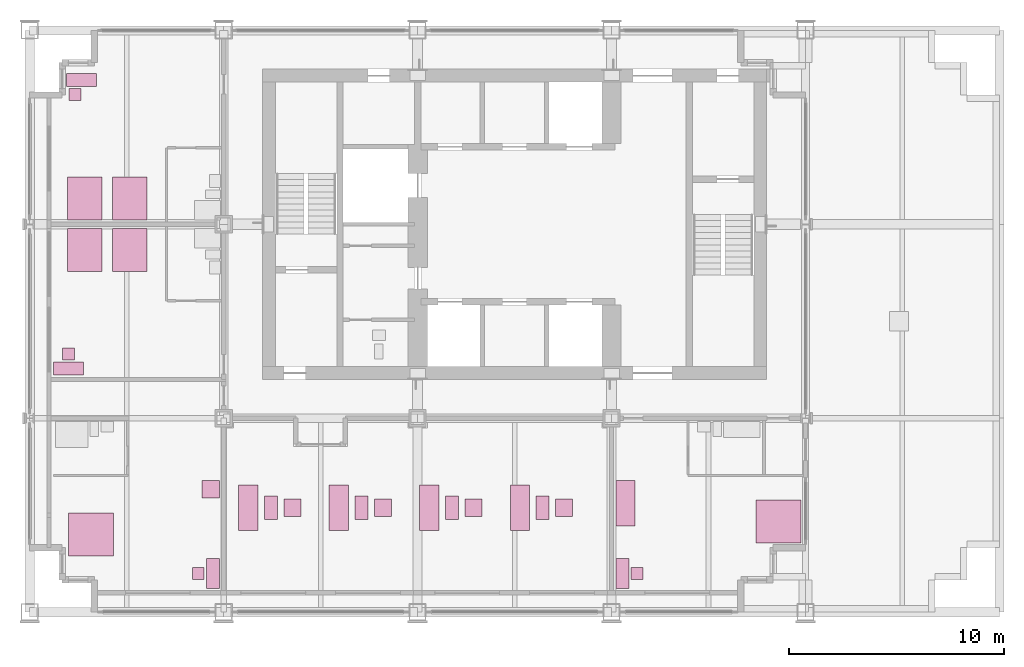
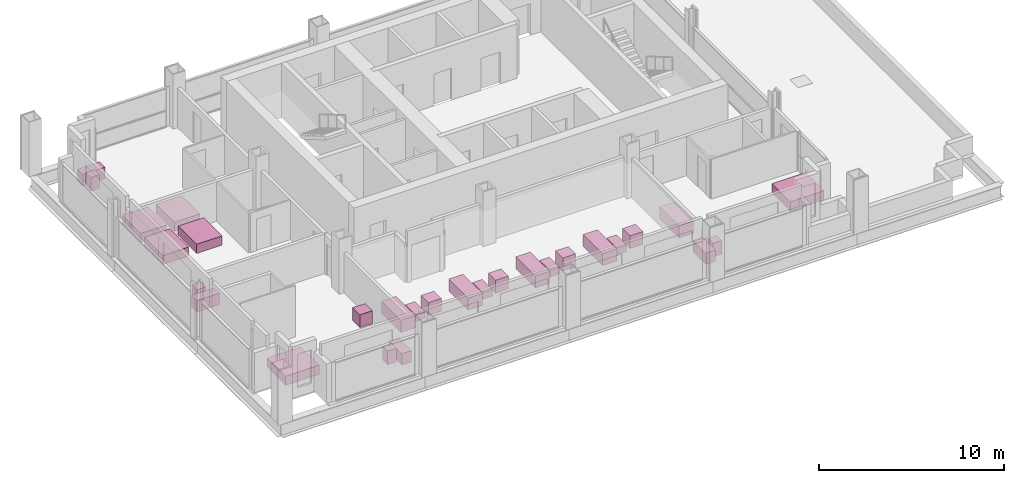
# One storey, part 12 of 12: 28 furniture elements.
"""IFC4 building model written with IfcOpenShell, lengths in metres."""

import ifcopenshell
import ifcopenshell.guid

model = None  # the IFC model being written
_history = None  # IfcOwnerHistory: only IFC2X3 demands one
_inside = {}  # id of a spatial element -> (the spatial element, [elements in it])
_under = {}  # id of a project, library or spatial element -> (it, [spatial elements below it])
_declared = {}  # id of a project -> (the project, [libraries it declares])
_typed = {}  # id of a type object -> (the type object, [elements of that type])
_made_of = {}  # id of a material, layer set ... -> (it, [elements and type objects made of it])


def new_model(schema):
    """Start an empty IFC model of exactly this schema.

    Asked for "IFC4X3", IfcOpenShell would pick the latest addendum, in which some entities
    have other attributes; the version numbers below select the first issue.
    IFC2X3 requires an IfcOwnerHistory on every rooted entity: one is made here for all.
    """
    global model, _history
    if schema == "IFC4X3":
        model = ifcopenshell.file(schema_version=(4, 3, 0, 0))
    else:
        model = ifcopenshell.file(schema=schema)
    _inside.clear()
    _under.clear()
    _declared.clear()
    _typed.clear()
    _made_of.clear()
    _history = None
    if model.schema == "IFC2X3":
        org = make("IfcOrganization", Name="unknown")
        user = make(
            "IfcPersonAndOrganization",
            ThePerson=make("IfcPerson", FamilyName="unknown"),
            TheOrganization=org,
        )
        app = make(
            "IfcApplication",
            ApplicationDeveloper=org,
            Version="unknown",
            ApplicationFullName="unknown",
            ApplicationIdentifier="unknown",
        )
        _history = make(
            "IfcOwnerHistory",
            OwningUser=user,
            OwningApplication=app,
            ChangeAction="ADDED",
            CreationDate=0,
        )
    return model


def make(cls, **values):
    """One entity of the class cls with the attributes given. An attribute that is None is left unset."""
    return model.create_entity(
        cls, **{name: value for name, value in values.items() if value is not None}
    )


def rooted(cls, **values):
    """An entity with a GlobalId (a new one), such as an element, a storey or a relation."""
    return make(cls, GlobalId=ifcopenshell.guid.new(), OwnerHistory=_history, **values)


def si_unit(unit_type, name, prefix=None):
    """IfcSIUnit, for example si_unit("LENGTHUNIT", "METRE", prefix="MILLI")."""
    return make("IfcSIUnit", UnitType=unit_type, Prefix=prefix, Name=name)


def assignment(units):
    """IfcUnitAssignment: the units of a project."""
    return None if units is None else make("IfcUnitAssignment", Units=units)


def point(xyz):
    """IfcCartesianPoint."""
    return None if xyz is None else make("IfcCartesianPoint", Coordinates=xyz)


def direction(xyz):
    """IfcDirection."""
    return None if xyz is None else make("IfcDirection", DirectionRatios=xyz)


def frame(location, z_axis=None, x_axis=None):
    """IfcAxis2Placement3D, a coordinate frame: its origin and axes. An axis left out is left unset."""
    return make(
        "IfcAxis2Placement3D",
        Location=point(location),
        Axis=direction(z_axis),
        RefDirection=direction(x_axis),
    )


def frame_2d(location, x_axis=None):
    """IfcAxis2Placement2D, a coordinate frame in the plane: its origin and x axis."""
    return make(
        "IfcAxis2Placement2D", Location=point(location), RefDirection=direction(x_axis)
    )


def origin():
    """The frame at (0, 0, 0) with its axes left unset."""
    return frame((0.0, 0.0, 0.0))


def origin_2d():
    """The frame at (0, 0) in the plane with its x axis left unset."""
    return frame_2d((0.0, 0.0))


def place(relative_to, where):
    """IfcLocalPlacement: puts the frame where relative to a parent placement (None: the world)."""
    return make(
        "IfcLocalPlacement", PlacementRelTo=relative_to, RelativePlacement=where
    )


def context(
    kind, dimensions, precision=None, world=None, true_north=None, identifier=None
):
    """IfcGeometricRepresentationContext, for example the 3D "Model" context."""
    return make(
        "IfcGeometricRepresentationContext",
        ContextIdentifier=identifier,
        ContextType=kind,
        CoordinateSpaceDimension=dimensions,
        Precision=precision,
        WorldCoordinateSystem=world,
        TrueNorth=true_north,
    )


def subcontext(parent, identifier, kind, view, scale=None):
    """IfcGeometricRepresentationSubContext, for example "Body" below "Model"."""
    return make(
        "IfcGeometricRepresentationSubContext",
        ContextIdentifier=identifier,
        ContextType=kind,
        ParentContext=parent,
        TargetScale=scale,
        TargetView=view,
    )


def project(units=None, contexts=None):
    """IfcProject with its units and contexts."""
    return rooted(
        "IfcProject",
        Name="project",
        RepresentationContexts=contexts,
        UnitsInContext=assignment(units),
    )


def spatial(cls, under=None, at=None, **own):
    """A site, building, storey or space (cls), placed at a placement, below another one or the project."""
    s = rooted(cls, ObjectPlacement=at, **own)
    if under is not None:
        _under.setdefault(under.id(), (under, []))[1].append(s)
    return s


def profile(cls, at=None, kind="AREA", **sizes):
    """A parametric profile (cls). Its sizes go by their IFC names, for example OverallWidth=200.0."""
    return make(cls, ProfileType=kind, Position=at, **sizes)


def rectangle(**sizes):
    """IfcRectangleProfileDef."""
    return profile("IfcRectangleProfileDef", **sizes)


def extrude(swept, where, along, depth):
    """IfcExtrudedAreaSolid: the profile swept, set in the frame where, extruded along a direction by depth."""
    return make(
        "IfcExtrudedAreaSolid",
        SweptArea=swept,
        Position=where,
        ExtrudedDirection=direction(along),
        Depth=depth,
    )


def shape(context_of_items, identifier, shape_type, items):
    """IfcShapeRepresentation: the items that make up one representation, for example the "Body"."""
    return make(
        "IfcShapeRepresentation",
        ContextOfItems=context_of_items,
        RepresentationIdentifier=identifier,
        RepresentationType=shape_type,
        Items=items,
    )


def made_of(thing, what):
    """Note that an element or type object is made of a material, layer set ...; save() writes the relation."""
    if what is not None:
        _made_of.setdefault(what.id(), (what, []))[1].append(thing)
    return thing


def element(
    cls,
    number,
    at=None,
    inside=None,
    cuts=None,
    type_object=None,
    material=None,
    context=None,
    identifier="Body",
    shape_type=None,
    held_by="IfcProductDefinitionShape",
    body=None,
    shapes=None,
    **own,
):
    """One element of the class cls, such as IfcWall. Its Tag is "e" and its number.

    at: its placement. inside: the storey or other place that contains it. cuts: it is an
    opening in that element (IfcRelVoidsElement). A single representation is given by context,
    identifier, shape_type and body (its items); several are given by shapes. held_by: the class
    of the entity that holds the representations. save() writes the other relations.
    """
    e = rooted(cls, Tag="e%d" % number, ObjectPlacement=at, **own)
    if body is not None:
        shapes = [shape(context, identifier, shape_type, body)]
    if shapes is not None:
        e.Representation = make(held_by, Representations=shapes)
    if inside is not None:
        _inside.setdefault(inside.id(), (inside, []))[1].append(e)
    if cuts is not None:
        rooted(
            "IfcRelVoidsElement", RelatingBuildingElement=cuts, RelatedOpeningElement=e
        )
    if type_object is not None:
        _typed.setdefault(type_object.id(), (type_object, []))[1].append(e)
    return made_of(e, material)


def aggregate(whole, parts):
    """IfcRelAggregates: a whole, such as a stair, and the parts it consists of."""
    return rooted("IfcRelAggregates", RelatingObject=whole, RelatedObjects=parts)


def save(model, path):
    """Write the relations noted so far, then the file.

    IfcRelAggregates (storeys below a building ...), IfcRelContainedInSpatialStructure (elements
    in a storey), IfcRelDefinesByType, IfcRelAssociatesMaterial and IfcRelDeclares: one each for
    every whole, place, type object, material and project.
    """
    for whole, parts in _under.values():
        aggregate(whole, parts)
    for where, things in _inside.values():
        rooted(
            "IfcRelContainedInSpatialStructure",
            RelatedElements=things,
            RelatingStructure=where,
        )
    for kind, things in _typed.values():
        rooted("IfcRelDefinesByType", RelatedObjects=things, RelatingType=kind)
    for what, things in _made_of.values():
        rooted("IfcRelAssociatesMaterial", RelatedObjects=things, RelatingMaterial=what)
    for by, libraries in _declared.values():
        rooted("IfcRelDeclares", RelatingContext=by, RelatedDefinitions=libraries)
    model.write(path)


model = new_model("IFC4")

# Units and contexts
model_context = context("Model", 3, precision=1e-05, world=origin(), true_north=direction((0.0, 1.0)))
body_context = subcontext(model_context, "Body", "Model", "MODEL_VIEW")
ifc_project = project(units=[si_unit("LENGTHUNIT", "METRE"), si_unit("AREAUNIT", "SQUARE_METRE"), si_unit("VOLUMEUNIT", "CUBIC_METRE"), si_unit("PLANEANGLEUNIT", "RADIAN"), si_unit("MASSUNIT", "GRAM", prefix="KILO")], contexts=[model_context])

# Site, building, storey
site_placement = place(None, origin())
site = spatial("IfcSite", under=ifc_project, at=site_placement, CompositionType="ELEMENT")
building_placement = place(site_placement, origin())
building = spatial("IfcBuilding", under=site, at=building_placement, Name="Loomwork Tower", CompositionType="ELEMENT")
storey_placement = place(building_placement, frame((0.0, 0.0, 226.60009765625)))
storey = spatial("IfcBuildingStorey", under=building, at=storey_placement, Name="L62", CompositionType="ELEMENT", Elevation=226.60009765625)

# Furniture
furniture_1_placement = place(storey_placement, frame((2.85009765625, 3.60009765625, -0.000244140625), z_axis=(0.0, 0.0, 1.0), x_axis=(1.0, 0.0, 0.0)))
element("IfcFurniture", 1, at=furniture_1_placement, inside=storey, Name="King bed L62", PredefinedType="BED", context=body_context, shape_type="SweptSolid", body=[
    extrude(rectangle(XDim=2.10009765625, YDim=2.0, at=origin_2d()), origin(), (0.0, 0.0, 1.0), 0.60009765625),
])
furniture_2_placement = place(storey_placement, frame((8.5, 1.800048828125, 0.0), z_axis=(0.0, 0.0, 1.0), x_axis=(1.0, 0.0, 0.0)))
element("IfcFurniture", 2, at=furniture_2_placement, inside=storey, Name="Writing desk L62", PredefinedType="DESK", context=body_context, shape_type="SweptSolid", body=[
    extrude(rectangle(XDim=0.60009765625, YDim=1.39990234375, at=origin_2d()), origin(), (0.0, 0.0, 1.0), 0.75),
])
furniture_3_placement = place(storey_placement, frame((7.824951171875, 1.800048828125, 0.0), z_axis=(0.0, 0.0, 1.0), x_axis=(1.0, 0.0, 0.0)))
element("IfcFurniture", 3, at=furniture_3_placement, inside=storey, Name="Desk chair L62", PredefinedType="CHAIR", context=body_context, shape_type="SweptSolid", body=[
    extrude(rectangle(XDim=0.550048828125, YDim=0.550048828125, at=origin_2d()), origin(), (0.0, 0.0, 1.0), 0.89990234375),
])
furniture_4_placement = place(storey_placement, frame((8.39990234375, 5.699951171875, -0.000244140625), z_axis=(0.0, 0.0, 1.0), x_axis=(1.0, 0.0, 0.0)))
element("IfcFurniture", 4, at=furniture_4_placement, inside=storey, Name="Lounge armchair L62", PredefinedType="CHAIR", context=body_context, shape_type="SweptSolid", body=[
    extrude(rectangle(XDim=0.800048828125, YDim=0.800048828125, at=origin_2d()), origin(), (0.0, 0.0, 1.0), 0.85009765625),
])
furniture_5_placement = place(storey_placement, frame((10.14990234375, 4.85009765625, 0.0), z_axis=(0.0, 0.0, 1.0), x_axis=(1.0, 0.0, 0.0)))
element("IfcFurniture", 5, at=furniture_5_placement, inside=storey, Name="Sofa L62", PredefinedType="SOFA", context=body_context, shape_type="SweptSolid", body=[
    extrude(rectangle(XDim=0.89990234375, YDim=2.10009765625, at=origin_2d()), origin(), (0.0, 0.0, 1.0), 0.800048828125),
])
furniture_6_placement = place(storey_placement, frame((11.199951171875, 4.85009765625, 0.0), z_axis=(0.0, 0.0, 1.0), x_axis=(1.0, 0.0, 0.0)))
element("IfcFurniture", 6, at=furniture_6_placement, inside=storey, Name="Coffee table L62", PredefinedType="TABLE", context=body_context, shape_type="SweptSolid", body=[
    extrude(rectangle(XDim=0.60009765625, YDim=1.10009765625, at=origin_2d()), origin(), (0.0, 0.0, 1.0), 0.449951171875),
])
furniture_7_placement = place(storey_placement, frame((12.199951171875, 4.85009765625, -0.000244140625), z_axis=(0.0, 0.0, 1.0), x_axis=(1.0, 0.0, 0.0)))
element("IfcFurniture", 7, at=furniture_7_placement, inside=storey, Name="Lounge armchair L62", PredefinedType="CHAIR", context=body_context, shape_type="SweptSolid", body=[
    extrude(rectangle(XDim=0.800048828125, YDim=0.800048828125, at=origin_2d()), origin(), (0.0, 0.0, 1.0), 0.85009765625),
])
furniture_8_placement = place(storey_placement, frame((14.35009765625, 4.85009765625, 0.0), z_axis=(0.0, 0.0, 1.0), x_axis=(1.0, 0.0, 0.0)))
element("IfcFurniture", 8, at=furniture_8_placement, inside=storey, Name="Sofa L62", PredefinedType="SOFA", context=body_context, shape_type="SweptSolid", body=[
    extrude(rectangle(XDim=0.89990234375, YDim=2.10009765625, at=origin_2d()), origin(), (0.0, 0.0, 1.0), 0.800048828125),
])
furniture_9_placement = place(storey_placement, frame((15.39990234375, 4.85009765625, 0.0), z_axis=(0.0, 0.0, 1.0), x_axis=(1.0, 0.0, 0.0)))
element("IfcFurniture", 9, at=furniture_9_placement, inside=storey, Name="Coffee table L62", PredefinedType="TABLE", context=body_context, shape_type="SweptSolid", body=[
    extrude(rectangle(XDim=0.60009765625, YDim=1.10009765625, at=origin_2d()), origin(), (0.0, 0.0, 1.0), 0.449951171875),
])
furniture_10_placement = place(storey_placement, frame((16.39990234375, 4.85009765625, -0.000244140625), z_axis=(0.0, 0.0, 1.0), x_axis=(1.0, 0.0, 0.0)))
element("IfcFurniture", 10, at=furniture_10_placement, inside=storey, Name="Lounge armchair L62", PredefinedType="CHAIR", context=body_context, shape_type="SweptSolid", body=[
    extrude(rectangle(XDim=0.800048828125, YDim=0.800048828125, at=origin_2d()), origin(), (0.0, 0.0, 1.0), 0.85009765625),
])
furniture_11_placement = place(storey_placement, frame((18.550048828125, 4.85009765625, 0.0), z_axis=(0.0, 0.0, 1.0), x_axis=(1.0, 0.0, 0.0)))
element("IfcFurniture", 11, at=furniture_11_placement, inside=storey, Name="Sofa L62", PredefinedType="SOFA", context=body_context, shape_type="SweptSolid", body=[
    extrude(rectangle(XDim=0.89990234375, YDim=2.10009765625, at=origin_2d()), origin(), (0.0, 0.0, 1.0), 0.800048828125),
])
furniture_12_placement = place(storey_placement, frame((19.60009765625, 4.85009765625, 0.0), z_axis=(0.0, 0.0, 1.0), x_axis=(1.0, 0.0, 0.0)))
element("IfcFurniture", 12, at=furniture_12_placement, inside=storey, Name="Coffee table L62", PredefinedType="TABLE", context=body_context, shape_type="SweptSolid", body=[
    extrude(rectangle(XDim=0.60009765625, YDim=1.10009765625, at=origin_2d()), origin(), (0.0, 0.0, 1.0), 0.449951171875),
])
furniture_13_placement = place(storey_placement, frame((20.60009765625, 4.85009765625, -0.000244140625), z_axis=(0.0, 0.0, 1.0), x_axis=(1.0, 0.0, 0.0)))
element("IfcFurniture", 13, at=furniture_13_placement, inside=storey, Name="Lounge armchair L62", PredefinedType="CHAIR", context=body_context, shape_type="SweptSolid", body=[
    extrude(rectangle(XDim=0.800048828125, YDim=0.800048828125, at=origin_2d()), origin(), (0.0, 0.0, 1.0), 0.85009765625),
])
furniture_14_placement = place(storey_placement, frame((22.75, 4.85009765625, 0.0), z_axis=(0.0, 0.0, 1.0), x_axis=(1.0, 0.0, 0.0)))
element("IfcFurniture", 14, at=furniture_14_placement, inside=storey, Name="Sofa L62", PredefinedType="SOFA", context=body_context, shape_type="SweptSolid", body=[
    extrude(rectangle(XDim=0.89990234375, YDim=2.10009765625, at=origin_2d()), origin(), (0.0, 0.0, 1.0), 0.800048828125),
])
furniture_15_placement = place(storey_placement, frame((23.800048828125, 4.85009765625, 0.0), z_axis=(0.0, 0.0, 1.0), x_axis=(1.0, 0.0, 0.0)))
element("IfcFurniture", 15, at=furniture_15_placement, inside=storey, Name="Coffee table L62", PredefinedType="TABLE", context=body_context, shape_type="SweptSolid", body=[
    extrude(rectangle(XDim=0.60009765625, YDim=1.10009765625, at=origin_2d()), origin(), (0.0, 0.0, 1.0), 0.449951171875),
])
furniture_16_placement = place(storey_placement, frame((24.800048828125, 4.85009765625, -0.000244140625), z_axis=(0.0, 0.0, 1.0), x_axis=(1.0, 0.0, 0.0)))
element("IfcFurniture", 16, at=furniture_16_placement, inside=storey, Name="Lounge armchair L62", PredefinedType="CHAIR", context=body_context, shape_type="SweptSolid", body=[
    extrude(rectangle(XDim=0.800048828125, YDim=0.800048828125, at=origin_2d()), origin(), (0.0, 0.0, 1.0), 0.85009765625),
])
furniture_17_placement = place(storey_placement, frame((34.75, 4.199951171875, -0.000244140625), z_axis=(0.0, 0.0, 1.0), x_axis=(1.0, 0.0, 0.0)))
element("IfcFurniture", 17, at=furniture_17_placement, inside=storey, Name="King bed L62", PredefinedType="BED", context=body_context, shape_type="SweptSolid", body=[
    extrude(rectangle(XDim=2.10009765625, YDim=2.0, at=origin_2d()), origin(), (0.0, 0.0, 1.0), 0.60009765625),
])
furniture_18_placement = place(storey_placement, frame((27.5, 1.800048828125, 0.0), z_axis=(0.0, 0.0, 1.0), x_axis=(1.0, 0.0, 0.0)))
element("IfcFurniture", 18, at=furniture_18_placement, inside=storey, Name="Writing desk L62", PredefinedType="DESK", context=body_context, shape_type="SweptSolid", body=[
    extrude(rectangle(XDim=0.60009765625, YDim=1.39990234375, at=origin_2d()), origin(), (0.0, 0.0, 1.0), 0.75),
])
furniture_19_placement = place(storey_placement, frame((28.175048828125, 1.800048828125, 0.0), z_axis=(0.0, 0.0, 1.0), x_axis=(1.0, 0.0, 0.0)))
element("IfcFurniture", 19, at=furniture_19_placement, inside=storey, Name="Desk chair L62", PredefinedType="CHAIR", context=body_context, shape_type="SweptSolid", body=[
    extrude(rectangle(XDim=0.550048828125, YDim=0.550048828125, at=origin_2d()), origin(), (0.0, 0.0, 1.0), 0.89990234375),
])
furniture_20_placement = place(storey_placement, frame((27.64990234375, 5.050048828125, 0.0), z_axis=(0.0, 0.0, 1.0), x_axis=(1.0, 0.0, 0.0)))
element("IfcFurniture", 20, at=furniture_20_placement, inside=storey, Name="Sofa L62", PredefinedType="SOFA", context=body_context, shape_type="SweptSolid", body=[
    extrude(rectangle(XDim=0.89990234375, YDim=2.10009765625, at=origin_2d()), origin(), (0.0, 0.0, 1.0), 0.800048828125),
])
for number, where, z_axis, x_axis, name in (
    (21, (4.64990234375, 16.800048828125, -0.000244140625), (0.0, 0.0, 1.0), (1.0, 0.0, 0.0), "Queen bed L62"),
    (22, (2.550048828125, 16.800048828125, -0.000244140625), (0.0, 0.0, 1.0), (1.0, 0.0, 0.0), "Queen bed L62"),
):
    element("IfcFurniture", number, at=place(storey_placement, frame(where, z_axis=z_axis, x_axis=x_axis)), inside=storey, Name=name, PredefinedType="BED", context=body_context, shape_type="SweptSolid", body=[
        extrude(rectangle(XDim=1.60009765625, YDim=2.0, at=origin_2d()), origin(), (0.0, 0.0, 1.0), 0.60009765625),
    ])
furniture_21_placement = place(storey_placement, frame((1.800048828125, 11.300048828125, 0.0), z_axis=(0.0, 0.0, 1.0), x_axis=(1.0, 0.0, 0.0)))
element("IfcFurniture", 23, at=furniture_21_placement, inside=storey, Name="Writing desk L62", PredefinedType="DESK", context=body_context, shape_type="SweptSolid", body=[
    extrude(rectangle(XDim=1.39990234375, YDim=0.60009765625, at=origin_2d()), origin(), (0.0, 0.0, 1.0), 0.75),
])
furniture_22_placement = place(storey_placement, frame((1.800048828125, 11.97509765625, 0.0), z_axis=(0.0, 0.0, 1.0), x_axis=(1.0, 0.0, 0.0)))
element("IfcFurniture", 24, at=furniture_22_placement, inside=storey, Name="Desk chair L62", PredefinedType="CHAIR", context=body_context, shape_type="SweptSolid", body=[
    extrude(rectangle(XDim=0.550048828125, YDim=0.550048828125, at=origin_2d()), origin(), (0.0, 0.0, 1.0), 0.89990234375),
])
for number, where, z_axis, x_axis, name in (
    (25, (4.64990234375, 19.199951171875, -0.000244140625), (0.0, 0.0, 1.0), (1.0, 0.0, 0.0), "Queen bed L62"),
    (26, (2.550048828125, 19.199951171875, -0.000244140625), (0.0, 0.0, 1.0), (1.0, 0.0, 0.0), "Queen bed L62"),
):
    element("IfcFurniture", number, at=place(storey_placement, frame(where, z_axis=z_axis, x_axis=x_axis)), inside=storey, Name=name, PredefinedType="BED", context=body_context, shape_type="SweptSolid", body=[
        extrude(rectangle(XDim=1.60009765625, YDim=2.0, at=origin_2d()), origin(), (0.0, 0.0, 1.0), 0.60009765625),
    ])
furniture_23_placement = place(storey_placement, frame((2.39990234375, 24.699951171875, 0.0), z_axis=(0.0, 0.0, 1.0), x_axis=(1.0, 0.0, 0.0)))
element("IfcFurniture", 27, at=furniture_23_placement, inside=storey, Name="Writing desk L62", PredefinedType="DESK", context=body_context, shape_type="SweptSolid", body=[
    extrude(rectangle(XDim=1.39990234375, YDim=0.60009765625, at=origin_2d()), origin(), (0.0, 0.0, 1.0), 0.75),
])
furniture_24_placement = place(storey_placement, frame((2.10009765625, 24.02490234375, 0.0), z_axis=(0.0, 0.0, 1.0), x_axis=(1.0, 0.0, 0.0)))
element("IfcFurniture", 28, at=furniture_24_placement, inside=storey, Name="Desk chair L62", PredefinedType="CHAIR", context=body_context, shape_type="SweptSolid", body=[
    extrude(rectangle(XDim=0.550048828125, YDim=0.550048828125, at=origin_2d()), origin(), (0.0, 0.0, 1.0), 0.89990234375),
])

save(model, "model.ifc")
